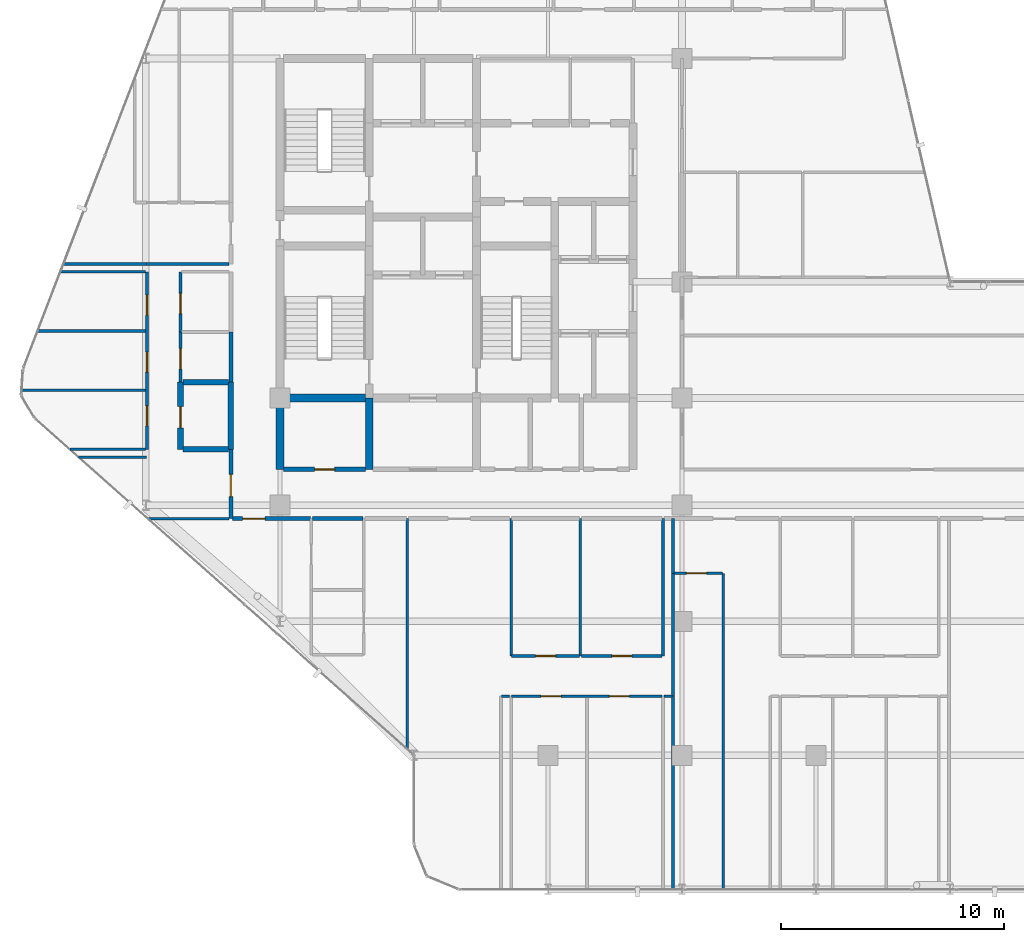
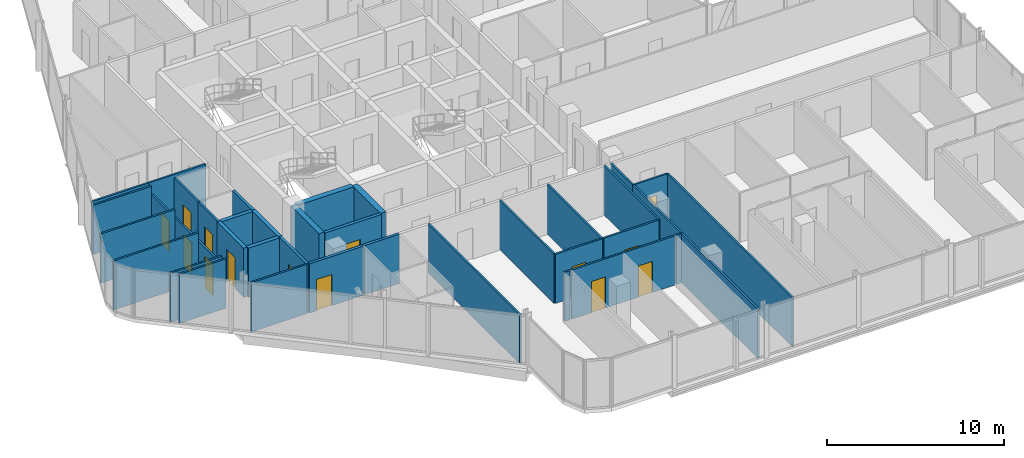
# One storey, part 23 of 29: 37 walls, 14 doors, 14 openings.
"""IFC4 building model written with IfcOpenShell, lengths in metres."""

from ifc_helpers import new_model, si_unit, direction, frame, frame_2d, origin, place, context, subcontext, project, spatial, rectangle, extrude, material, layer, layer_set, type_object, element, fill, save


model = new_model("IFC4")

# Units and contexts
model_context = context("Model", 3, precision=1e-05, world=origin(), true_north=direction((0.0, 1.0)))
body_context = subcontext(model_context, "Body", "Model", "MODEL_VIEW")
ifc_project = project(units=[si_unit("LENGTHUNIT", "METRE"), si_unit("AREAUNIT", "SQUARE_METRE"), si_unit("VOLUMEUNIT", "CUBIC_METRE"), si_unit("PLANEANGLEUNIT", "RADIAN"), si_unit("MASSUNIT", "GRAM", prefix="KILO")], contexts=[model_context])

# Site, building, storey
site_placement = place(None, origin())
site = spatial("IfcSite", under=ifc_project, at=site_placement, CompositionType="ELEMENT")
building_placement = place(site_placement, origin())
building = spatial("IfcBuilding", under=site, at=building_placement, Name="Keshet Zoharim Tower", CompositionType="ELEMENT")
storey_placement = place(building_placement, frame((0.0, 0.0, 172.800048828125)))
storey = spatial("IfcBuildingStorey", under=building, at=storey_placement, Name="L42", CompositionType="ELEMENT", Elevation=172.800048828125)

# Walls
ifc_material_1 = material(Name="Concrete C60/75", Category="concrete")
ifc_layer_1 = layer(ifc_material_1, 0.35009765625)
ifc_layer_set_1 = layer_set([ifc_layer_1], Name="Concrete C60/75")
wall_type_1 = type_object("IfcWallType", Name="WL-CORE-350", PredefinedType="SHEAR", material=ifc_layer_set_1)
for number, where, z_axis, x_axis, name in (
    (1, (15.0, 19.5, 0.0), (0.0, 0.0, 1.0), (0.0, 1.0, 0.0), "L42 Core Shear Wall 015"),
    (2, (19.0, 19.5, 0.0), (0.0, 0.0, 1.0), (0.0, 1.0, 0.0), "L42 Core Shear Wall 026"),
):
    element("IfcWall", number, at=place(storey_placement, frame(where, z_axis=z_axis, x_axis=x_axis)), inside=storey, type_object=wall_type_1, Name=name, PredefinedType="SHEAR", context=body_context, shape_type="SweptSolid", body=[
        extrude(rectangle(XDim=3.199951171875, YDim=0.35009765625, at=frame_2d((1.60009765625, 0.0))), origin(), (0.0, 0.0, 1.0), 3.389892578125),
    ])
wall_1_placement = place(storey_placement, frame((15.159912109375, 22.699951171875, 0.0), z_axis=(0.0, 0.0, 1.0), x_axis=(1.0, 0.0, 0.0)))
element("IfcWall", 3, at=wall_1_placement, inside=storey, type_object=wall_type_1, Name="L42 Core Shear Wall 144", PredefinedType="SHEAR", context=body_context, shape_type="SweptSolid", body=[
    extrude(rectangle(XDim=3.68017578125, YDim=0.35009765625, at=frame_2d((1.840087890625, 0.0))), origin(), (0.0, 0.0, 1.0), 3.389892578125),
])

# Wall, opening, door
ifc_material_2 = material(Name="Gypsum Plasterboard", Category="gypsum")
ifc_layer_2 = layer(ifc_material_2, 0.179931640625)
ifc_layer_set_2 = layer_set([ifc_layer_2], Name="Gypsum Plasterboard")
wall_type_2 = type_object("IfcWallType", Name="WL-CORR-180", PredefinedType="STANDARD", material=ifc_layer_set_2)
wall_2_placement = place(storey_placement, frame((12.800048828125, 17.300048828125, 0.0), z_axis=(0.0, 0.0, 1.0), x_axis=(0.0, 1.0, 0.0)))
wall_2 = element("IfcWall", 4, at=wall_2_placement, inside=storey, type_object=wall_type_2, Name="L42 Interior Wall 007", PredefinedType="STANDARD", context=body_context, shape_type="SweptSolid", body=[
    extrude(rectangle(XDim=3.099853515625, YDim=0.179931640625, at=frame_2d((1.5498046875, 0.0))), origin(), (0.0, 0.0, 1.0), 3.389892578125),
])
opening_1_placement = place(wall_2_placement, frame((0.97802734375, 0.0, 0.0)))
opening_1 = element("IfcOpeningElement", 5, at=opening_1_placement, cuts=wall_2, Name="Opening D-F310", PredefinedType="OPENING", context=body_context, shape_type="SweptSolid", body=[
    extrude(rectangle(XDim=1.0, YDim=2.14990234375, at=frame_2d((0.5, 1.074951171875))), frame((0.0, 0.10009765625, 0.0), z_axis=(0.0, -1.0, 0.0), x_axis=(1.0, 0.0, 0.0)), (0.0, 0.0, 1.0), 0.199951171875),
])
ifc_material_3 = material(Name="Hardwood Timber", Category="wood")
door_type_1 = type_object("IfcDoorType", Name="DR-FD30-100", OperationType="NOTDEFINED", PredefinedType="DOOR", material=ifc_material_3)
door_1_placement = place(opening_1_placement, origin())
door_1 = element("IfcDoor", 6, at=door_1_placement, inside=storey, type_object=door_type_1, Name="Apartment 4209 Entrance Door", OperationType="SINGLE_SWING_LEFT", OverallHeight=2.14990234375, OverallWidth=1.0, PredefinedType="DOOR", context=body_context, shape_type="SweptSolid", body=[
    extrude(rectangle(XDim=1.0, YDim=2.14990234375, at=frame_2d((0.5, 1.074951171875))), frame((0.0, 0.02490234375, 0.0), z_axis=(0.0, -1.0, 0.0), x_axis=(1.0, 0.0, 0.0)), (0.0, 0.0, 1.0), 0.050048828125),
])
fill(opening_1, door_1)

# Wall
wall_3_placement = place(storey_placement, frame((12.800048828125, 23.4208984375, 0.0), z_axis=(0.0, 0.0, 1.0), x_axis=(0.0, 1.0, 0.0)))
element("IfcWall", 7, at=wall_3_placement, inside=storey, type_object=wall_type_2, Name="L42 Interior Wall 009", PredefinedType="STANDARD", context=body_context, shape_type="SweptSolid", body=[
    extrude(rectangle(XDim=2.22607421875, YDim=0.179931640625, at=frame_2d((1.113037109375, 0.0))), origin(), (0.0, 0.0, 1.0), 3.389892578125),
])

# Wall, opening, door
wall_4_placement = place(storey_placement, frame((12.875, 17.300048828125, 0.0), z_axis=(0.0, 0.0, 1.0), x_axis=(1.0, 0.0, 0.0)))
wall_4 = element("IfcWall", 8, at=wall_4_placement, inside=storey, type_object=wall_type_2, Name="L42 Interior Wall 122", PredefinedType="STANDARD", context=body_context, shape_type="SweptSolid", body=[
    extrude(rectangle(XDim=3.5, YDim=0.179931640625, at=frame_2d((1.75, 0.0))), origin(), (0.0, 0.0, 1.0), 3.389892578125),
])
opening_2_placement = place(wall_4_placement, frame((0.458984375, 0.0, 0.0)))
opening_2 = element("IfcOpeningElement", 9, at=opening_2_placement, cuts=wall_4, Name="Opening D-F310", PredefinedType="OPENING", context=body_context, shape_type="SweptSolid", body=[
    extrude(rectangle(XDim=1.0, YDim=2.14990234375, at=frame_2d((0.5, 1.074951171875))), frame((0.0, 0.10009765625, 0.0), z_axis=(0.0, -1.0, 0.0), x_axis=(1.0, 0.0, 0.0)), (0.0, 0.0, 1.0), 0.199951171875),
])
door_2_placement = place(opening_2_placement, origin())
door_2 = element("IfcDoor", 10, at=door_2_placement, inside=storey, type_object=door_type_1, Name="Apartment 4201 Entrance Door", OperationType="SINGLE_SWING_LEFT", OverallHeight=2.14990234375, OverallWidth=1.0, PredefinedType="DOOR", context=body_context, shape_type="SweptSolid", body=[
    extrude(rectangle(XDim=1.0, YDim=2.14990234375, at=frame_2d((0.5, 1.074951171875))), frame((0.0, 0.02490234375, 0.0), z_axis=(0.0, -1.0, 0.0), x_axis=(1.0, 0.0, 0.0)), (0.0, 0.0, 1.0), 0.050048828125),
])
fill(opening_2, door_2)

# Wall
wall_5_placement = place(storey_placement, frame((16.465087890625, 17.300048828125, 0.0), z_axis=(0.0, 0.0, 1.0), x_axis=(1.0, 0.0, 0.0)))
element("IfcWall", 11, at=wall_5_placement, inside=storey, type_object=wall_type_2, Name="L42 Interior Wall 123", PredefinedType="STANDARD", context=body_context, shape_type="SweptSolid", body=[
    extrude(rectangle(XDim=2.260009765625, YDim=0.179931640625, at=frame_2d((1.1298828125, 0.0))), origin(), (0.0, 0.0, 1.0), 3.389892578125),
])

# Wall, opening, door
ifc_material_4 = material(Name="Concrete C50/60", Category="concrete")
ifc_layer_3 = layer(ifc_material_4, 0.199951171875)
ifc_layer_set_3 = layer_set([ifc_layer_3], Name="Concrete C50/60")
wall_type_3 = type_object("IfcWallType", Name="WL-FIRE-200", PredefinedType="STANDARD", material=ifc_layer_set_3)
wall_6_placement = place(storey_placement, frame((15.159912109375, 19.5, 0.0), z_axis=(0.0, 0.0, 1.0), x_axis=(1.0, 0.0, 0.0)))
wall_6 = element("IfcWall", 12, at=wall_6_placement, inside=storey, type_object=wall_type_3, Name="L42 Interior Wall 136", PredefinedType="STANDARD", context=body_context, shape_type="SweptSolid", body=[
    extrude(rectangle(XDim=3.68017578125, YDim=0.199951171875, at=frame_2d((1.840087890625, 0.0))), origin(), (0.0, 0.0, 1.0), 3.389892578125),
])
opening_3_placement = place(wall_6_placement, frame((1.389892578125, 0.0, 0.0)))
opening_3 = element("IfcOpeningElement", 13, at=opening_3_placement, cuts=wall_6, Name="Opening D-F690", PredefinedType="OPENING", context=body_context, shape_type="SweptSolid", body=[
    extrude(rectangle(XDim=0.89990234375, YDim=2.14990234375, at=frame_2d((0.449951171875, 1.074951171875))), frame((0.0, 0.10986328125, 0.0), z_axis=(0.0, -1.0, 0.0), x_axis=(1.0, 0.0, 0.0)), (0.0, 0.0, 1.0), 0.219970703125),
])
door_type_2 = type_object("IfcDoorType", Name="DR-FD60-090", OperationType="NOTDEFINED", PredefinedType="DOOR", material=ifc_material_3)
door_3_placement = place(opening_3_placement, origin())
door_3 = element("IfcDoor", 14, at=door_3_placement, inside=storey, type_object=door_type_2, Name="L42 Pram Store Door", OperationType="SINGLE_SWING_LEFT", OverallHeight=2.14990234375, OverallWidth=0.89990234375, PredefinedType="DOOR", context=body_context, shape_type="SweptSolid", body=[
    extrude(rectangle(XDim=0.89990234375, YDim=2.14990234375, at=frame_2d((0.449951171875, 1.074951171875))), frame((0.0, 0.02490234375, 0.0), z_axis=(0.0, -1.0, 0.0), x_axis=(1.0, 0.0, 0.0)), (0.0, 0.0, 1.0), 0.050048828125),
])
fill(opening_3, door_3)

ifc_layer_4 = layer(ifc_material_4, 0.25)
ifc_layer_set_4 = layer_set([ifc_layer_4], Name="Concrete C50/60")
wall_type_4 = type_object("IfcWallType", Name="WL-MAMAD-250", PredefinedType="STANDARD", material=ifc_layer_set_4)
wall_7_placement = place(storey_placement, frame((10.550048828125, 20.39990234375, 0.0), z_axis=(0.0, 0.0, 1.0), x_axis=(0.0, 1.0, 0.0)))
wall_7 = element("IfcWall", 15, at=wall_7_placement, inside=storey, type_object=wall_type_4, Name="L42 Interior Wall 004", PredefinedType="STANDARD", context=body_context, shape_type="SweptSolid", body=[
    extrude(rectangle(XDim=3.02099609375, YDim=0.25, at=frame_2d((1.510498046875, 0.0))), origin(), (0.0, 0.0, 1.0), 3.389892578125),
])
opening_4_placement = place(wall_7_placement, frame((0.964111328125, 0.0, 0.0)))
opening_4 = element("IfcOpeningElement", 16, at=opening_4_placement, cuts=wall_7, Name="Opening D-F695", PredefinedType="OPENING", context=body_context, shape_type="SweptSolid", body=[
    extrude(rectangle(XDim=0.949951171875, YDim=2.14990234375, at=frame_2d((0.47509765625, 1.074951171875))), frame((0.0, 0.135009765625, 0.0), z_axis=(0.0, -1.0, 0.0), x_axis=(1.0, 0.0, 0.0)), (0.0, 0.0, 1.0), 0.27001953125),
])
door_type_3 = type_object("IfcDoorType", Name="DR-FD60-095", OperationType="NOTDEFINED", PredefinedType="DOOR", material=ifc_material_3)
door_4_placement = place(opening_4_placement, origin())
door_4 = element("IfcDoor", 17, at=door_4_placement, inside=storey, type_object=door_type_3, Name="Apartment 4209 Study and Shelter Room Door", OperationType="SINGLE_SWING_RIGHT", OverallHeight=2.14990234375, OverallWidth=0.949951171875, PredefinedType="DOOR", context=body_context, shape_type="SweptSolid", body=[
    extrude(rectangle(XDim=0.949951171875, YDim=2.14990234375, at=frame_2d((0.47509765625, 1.074951171875))), frame((0.0, 0.02490234375, 0.0), z_axis=(0.0, -1.0, 0.0), x_axis=(1.0, 0.0, 0.0)), (0.0, 0.0, 1.0), 0.050048828125),
])
fill(opening_4, door_4)

# Walls
wall_8_placement = place(storey_placement, frame((12.800048828125, 20.39990234375, 0.0), z_axis=(0.0, 0.0, 1.0), x_axis=(0.0, 1.0, 0.0)))
element("IfcWall", 18, at=wall_8_placement, inside=storey, type_object=wall_type_4, Name="L42 Interior Wall 008", PredefinedType="STANDARD", context=body_context, shape_type="SweptSolid", body=[
    extrude(rectangle(XDim=3.02099609375, YDim=0.25, at=frame_2d((1.510498046875, 0.0))), origin(), (0.0, 0.0, 1.0), 3.389892578125),
])
for number, where, z_axis, x_axis, name in (
    (19, (10.659912109375, 20.39990234375, 0.0), (0.0, 0.0, 1.0), (1.0, 0.0, 0.0), "L42 Interior Wall 143"),
    (20, (10.659912109375, 23.39990234375, 0.0), (0.0, 0.0, 1.0), (1.0, 0.0, 0.0), "L42 Interior Wall 150"),
):
    element("IfcWall", number, at=place(storey_placement, frame(where, z_axis=z_axis, x_axis=x_axis)), inside=storey, type_object=wall_type_4, Name=name, PredefinedType="STANDARD", context=body_context, shape_type="SweptSolid", body=[
        extrude(rectangle(XDim=2.030029296875, YDim=0.25, at=frame_2d((1.01513671875, 0.0))), origin(), (0.0, 0.0, 1.0), 3.389892578125),
    ])

# Wall, openings, doors
ifc_layer_5 = layer(ifc_material_2, 0.1201171875)
ifc_layer_set_5 = layer_set([ifc_layer_5], Name="Gypsum Plasterboard")
wall_type_5 = type_object("IfcWallType", Name="WL-PART-120", PredefinedType="PARTITIONING", material=ifc_layer_set_5)
wall_9_placement = place(storey_placement, frame((9.050048828125, 20.39990234375, 0.0), z_axis=(0.0, 0.0, 1.0), x_axis=(0.0, 1.0, 0.0)))
wall_9 = element("IfcWall", 21, at=wall_9_placement, inside=storey, type_object=wall_type_5, Name="L42 Interior Wall 002", PredefinedType="PARTITIONING", context=body_context, shape_type="SweptSolid", body=[
    extrude(rectangle(XDim=7.9501953125, YDim=0.1201171875, at=frame_2d((3.97509765625, 0.0))), origin(), (0.0, 0.0, 1.0), 2.7900390625),
])
opening_5_placement = place(wall_9_placement, frame((1.050048828125, 0.0, 0.0)))
opening_5 = element("IfcOpeningElement", 22, at=opening_5_placement, cuts=wall_9, Name="Opening D-IN90", PredefinedType="OPENING", context=body_context, shape_type="SweptSolid", body=[
    extrude(rectangle(XDim=0.89990234375, YDim=2.14990234375, at=frame_2d((0.449951171875, 1.074951171875))), frame((0.0, 0.070068359375, 0.0), z_axis=(0.0, -1.0, 0.0), x_axis=(1.0, 0.0, 0.0)), (0.0, 0.0, 1.0), 0.14013671875),
])
opening_6_placement = place(wall_9_placement, frame((3.455078125, 0.0, 0.0)))
opening_6 = element("IfcOpeningElement", 23, at=opening_6_placement, cuts=wall_9, Name="Opening D-IN90", PredefinedType="OPENING", context=body_context, shape_type="SweptSolid", body=[
    extrude(rectangle(XDim=0.89990234375, YDim=2.14990234375, at=frame_2d((0.449951171875, 1.074951171875))), frame((0.0, 0.070068359375, 0.0), z_axis=(0.0, -1.0, 0.0), x_axis=(1.0, 0.0, 0.0)), (0.0, 0.0, 1.0), 0.14013671875),
])
opening_7_placement = place(wall_9_placement, frame((6.0, 0.0, 0.0)))
opening_7 = element("IfcOpeningElement", 24, at=opening_7_placement, cuts=wall_9, Name="Opening D-IN90", PredefinedType="OPENING", context=body_context, shape_type="SweptSolid", body=[
    extrude(rectangle(XDim=0.89990234375, YDim=2.14990234375, at=frame_2d((0.449951171875, 1.074951171875))), frame((0.0, 0.070068359375, 0.0), z_axis=(0.0, -1.0, 0.0), x_axis=(1.0, 0.0, 0.0)), (0.0, 0.0, 1.0), 0.14013671875),
])
door_type_4 = type_object("IfcDoorType", Name="DR-INT-090", OperationType="NOTDEFINED", PredefinedType="DOOR", material=ifc_material_3)
door_5_placement = place(opening_5_placement, origin())
door_5 = element("IfcDoor", 25, at=door_5_placement, inside=storey, type_object=door_type_4, Name="Apartment 4209 Bedroom 1 Door", OperationType="SINGLE_SWING_LEFT", OverallHeight=2.14990234375, OverallWidth=0.89990234375, PredefinedType="DOOR", context=body_context, shape_type="SweptSolid", body=[
    extrude(rectangle(XDim=0.89990234375, YDim=2.14990234375, at=frame_2d((0.449951171875, 1.074951171875))), frame((0.0, 0.02490234375, 0.0), z_axis=(0.0, -1.0, 0.0), x_axis=(1.0, 0.0, 0.0)), (0.0, 0.0, 1.0), 0.050048828125),
])
fill(opening_5, door_5)
door_6_placement = place(opening_6_placement, origin())
door_6 = element("IfcDoor", 26, at=door_6_placement, inside=storey, type_object=door_type_4, Name="Apartment 4209 Bedroom 2 Door", OperationType="SINGLE_SWING_RIGHT", OverallHeight=2.14990234375, OverallWidth=0.89990234375, PredefinedType="DOOR", context=body_context, shape_type="SweptSolid", body=[
    extrude(rectangle(XDim=0.89990234375, YDim=2.14990234375, at=frame_2d((0.449951171875, 1.074951171875))), frame((0.0, 0.02490234375, 0.0), z_axis=(0.0, -1.0, 0.0), x_axis=(1.0, 0.0, 0.0)), (0.0, 0.0, 1.0), 0.050048828125),
])
fill(opening_6, door_6)
door_7_placement = place(opening_7_placement, origin())
door_7 = element("IfcDoor", 27, at=door_7_placement, inside=storey, type_object=door_type_4, Name="Apartment 4209 Bedroom 3 Door", OperationType="SINGLE_SWING_LEFT", OverallHeight=2.14990234375, OverallWidth=0.89990234375, PredefinedType="DOOR", context=body_context, shape_type="SweptSolid", body=[
    extrude(rectangle(XDim=0.89990234375, YDim=2.14990234375, at=frame_2d((0.449951171875, 1.074951171875))), frame((0.0, 0.02490234375, 0.0), z_axis=(0.0, -1.0, 0.0), x_axis=(1.0, 0.0, 0.0)), (0.0, 0.0, 1.0), 0.050048828125),
])
fill(opening_7, door_7)

# Wall, opening, door
wall_10_placement = place(storey_placement, frame((10.550048828125, 25.64697265625, 0.0), z_axis=(0.0, 0.0, 1.0), x_axis=(0.0, 1.0, 0.0)))
wall_10 = element("IfcWall", 28, at=wall_10_placement, inside=storey, type_object=wall_type_5, Name="L42 Interior Wall 006", PredefinedType="PARTITIONING", context=body_context, shape_type="SweptSolid", body=[
    extrude(rectangle(XDim=2.703125, YDim=0.1201171875, at=frame_2d((1.3515625, 0.0))), origin(), (0.0, 0.0, 1.0), 3.389892578125),
])
opening_8_placement = place(wall_10_placement, frame((0.830078125, 0.0, 0.0)))
opening_8 = element("IfcOpeningElement", 29, at=opening_8_placement, cuts=wall_10, Name="Opening D-IN90", PredefinedType="OPENING", context=body_context, shape_type="SweptSolid", body=[
    extrude(rectangle(XDim=0.89990234375, YDim=2.14990234375, at=frame_2d((0.449951171875, 1.074951171875))), frame((0.0, 0.070068359375, 0.0), z_axis=(0.0, -1.0, 0.0), x_axis=(1.0, 0.0, 0.0)), (0.0, 0.0, 1.0), 0.14013671875),
])
door_8_placement = place(opening_8_placement, origin())
door_8 = element("IfcDoor", 30, at=door_8_placement, inside=storey, type_object=door_type_4, Name="Apartment 4209 Kitchen Door", OperationType="SINGLE_SWING_RIGHT", OverallHeight=2.14990234375, OverallWidth=0.89990234375, PredefinedType="DOOR", context=body_context, shape_type="SweptSolid", body=[
    extrude(rectangle(XDim=0.89990234375, YDim=2.14990234375, at=frame_2d((0.449951171875, 1.074951171875))), frame((0.0, 0.02490234375, 0.0), z_axis=(0.0, -1.0, 0.0), x_axis=(1.0, 0.0, 0.0)), (0.0, 0.0, 1.0), 0.050048828125),
])
fill(opening_8, door_8)

# Walls
wall_11_placement = place(storey_placement, frame((20.699951171875, 6.97705078125, 0.0), z_axis=(0.0, 0.0, 1.0), x_axis=(0.0, 1.0, 0.0)))
element("IfcWall", 31, at=wall_11_placement, inside=storey, type_object=wall_type_5, Name="L42 Interior Wall 031", PredefinedType="PARTITIONING", context=body_context, shape_type="SweptSolid", body=[
    extrude(rectangle(XDim=10.322998046875, YDim=0.1201171875, at=frame_2d((5.16162109375, 0.0))), origin(), (0.0, 0.0, 1.0), 3.389892578125),
])
wall_12_placement = place(storey_placement, frame((25.35009765625, 11.14990234375, 0.0), z_axis=(0.0, 0.0, 1.0), x_axis=(0.0, 1.0, 0.0)))
element("IfcWall", 32, at=wall_12_placement, inside=storey, type_object=wall_type_5, Name="L42 Interior Wall 046", PredefinedType="PARTITIONING", context=body_context, shape_type="SweptSolid", body=[
    extrude(rectangle(XDim=6.150146484375, YDim=0.1201171875, at=frame_2d((3.0751953125, 0.0))), origin(), (0.0, 0.0, 1.0), 3.389892578125),
])
wall_13_placement = place(storey_placement, frame((32.60009765625, 0.7099609375, 0.0), z_axis=(0.0, 0.0, 1.0), x_axis=(0.0, 1.0, 0.0)))
element("IfcWall", 33, at=wall_13_placement, inside=storey, type_object=wall_type_5, Name="L42 Interior Wall 072", PredefinedType="PARTITIONING", context=body_context, shape_type="SweptSolid", body=[
    extrude(rectangle(XDim=8.64013671875, YDim=0.1201171875, at=frame_2d((4.320068359375, 0.0))), origin(), (0.0, 0.0, 1.0), 3.389892578125),
])
wall_14_placement = place(storey_placement, frame((32.60009765625, 9.35009765625, 0.0), z_axis=(0.0, 0.0, 1.0), x_axis=(0.0, 1.0, 0.0)))
element("IfcWall", 34, at=wall_14_placement, inside=storey, type_object=wall_type_5, Name="L42 Interior Wall 073", PredefinedType="PARTITIONING", context=body_context, shape_type="SweptSolid", body=[
    extrude(rectangle(XDim=5.5, YDim=0.1201171875, at=frame_2d((2.75, 0.0))), origin(), (0.0, 0.0, 1.0), 3.389892578125),
])
wall_15_placement = place(storey_placement, frame((32.60009765625, 14.85009765625, 0.0), z_axis=(0.0, 0.0, 1.0), x_axis=(0.0, 1.0, 0.0)))
element("IfcWall", 35, at=wall_15_placement, inside=storey, type_object=wall_type_5, Name="L42 Interior Wall 074", PredefinedType="PARTITIONING", context=body_context, shape_type="SweptSolid", body=[
    extrude(rectangle(XDim=2.449951171875, YDim=0.1201171875, at=frame_2d((1.22509765625, 0.0))), origin(), (0.0, 0.0, 1.0), 3.389892578125),
])
wall_16_placement = place(storey_placement, frame((34.85009765625, 0.7099609375, 0.0), z_axis=(0.0, 0.0, 1.0), x_axis=(0.0, 1.0, 0.0)))
element("IfcWall", 36, at=wall_16_placement, inside=storey, type_object=wall_type_5, Name="L42 Interior Wall 079", PredefinedType="PARTITIONING", context=body_context, shape_type="SweptSolid", body=[
    extrude(rectangle(XDim=14.14013671875, YDim=0.1201171875, at=frame_2d((7.070068359375, 0.0))), origin(), (0.0, 0.0, 1.0), 3.389892578125),
])
wall_17_placement = place(storey_placement, frame((24.925048828125, 9.35009765625, 0.0), z_axis=(0.0, 0.0, 1.0), x_axis=(1.0, 0.0, 0.0)))
element("IfcWall", 37, at=wall_17_placement, inside=storey, type_object=wall_type_5, Name="L42 Interior Wall 104", PredefinedType="PARTITIONING", context=body_context, shape_type="SweptSolid", body=[
    extrude(rectangle(XDim=0.35986328125, YDim=0.1201171875, at=frame_2d((0.179931640625, 0.0))), origin(), (0.0, 0.0, 1.0), 3.389892578125),
])

# Wall, openings, doors
wall_18_placement = place(storey_placement, frame((25.375, 9.35009765625, 0.0), z_axis=(0.0, 0.0, 1.0), x_axis=(1.0, 0.0, 0.0)))
wall_18 = element("IfcWall", 38, at=wall_18_placement, inside=storey, type_object=wall_type_5, Name="L42 Interior Wall 105", PredefinedType="PARTITIONING", context=body_context, shape_type="SweptSolid", body=[
    extrude(rectangle(XDim=6.72998046875, YDim=0.1201171875, at=frame_2d((3.364990234375, 0.0))), origin(), (0.0, 0.0, 1.0), 3.389892578125),
])
opening_9_placement = place(wall_18_placement, frame((1.31005859375, 0.0, 0.0)))
opening_9 = element("IfcOpeningElement", 39, at=opening_9_placement, cuts=wall_18, Name="Opening D-IN90", PredefinedType="OPENING", context=body_context, shape_type="SweptSolid", body=[
    extrude(rectangle(XDim=0.89990234375, YDim=2.14990234375, at=frame_2d((0.449951171875, 1.074951171875))), frame((0.0, 0.070068359375, 0.0), z_axis=(0.0, -1.0, 0.0), x_axis=(1.0, 0.0, 0.0)), (0.0, 0.0, 1.0), 0.14013671875),
])
opening_10_placement = place(wall_18_placement, frame((4.3701171875, 0.0, 0.0)))
opening_10 = element("IfcOpeningElement", 40, at=opening_10_placement, cuts=wall_18, Name="Opening D-IN90", PredefinedType="OPENING", context=body_context, shape_type="SweptSolid", body=[
    extrude(rectangle(XDim=0.89990234375, YDim=2.14990234375, at=frame_2d((0.449951171875, 1.074951171875))), frame((0.0, 0.070068359375, 0.0), z_axis=(0.0, -1.0, 0.0), x_axis=(1.0, 0.0, 0.0)), (0.0, 0.0, 1.0), 0.14013671875),
])
door_9_placement = place(opening_9_placement, origin())
door_9 = element("IfcDoor", 41, at=door_9_placement, inside=storey, type_object=door_type_4, Name="Apartment 4202 Bedroom 1 Door", OperationType="SINGLE_SWING_LEFT", OverallHeight=2.14990234375, OverallWidth=0.89990234375, PredefinedType="DOOR", context=body_context, shape_type="SweptSolid", body=[
    extrude(rectangle(XDim=0.89990234375, YDim=2.14990234375, at=frame_2d((0.449951171875, 1.074951171875))), frame((0.0, 0.02490234375, 0.0), z_axis=(0.0, -1.0, 0.0), x_axis=(1.0, 0.0, 0.0)), (0.0, 0.0, 1.0), 0.050048828125),
])
fill(opening_9, door_9)
door_10_placement = place(opening_10_placement, origin())
door_10 = element("IfcDoor", 42, at=door_10_placement, inside=storey, type_object=door_type_4, Name="Apartment 4202 Bedroom 2 Door", OperationType="SINGLE_SWING_RIGHT", OverallHeight=2.14990234375, OverallWidth=0.89990234375, PredefinedType="DOOR", context=body_context, shape_type="SweptSolid", body=[
    extrude(rectangle(XDim=0.89990234375, YDim=2.14990234375, at=frame_2d((0.449951171875, 1.074951171875))), frame((0.0, 0.02490234375, 0.0), z_axis=(0.0, -1.0, 0.0), x_axis=(1.0, 0.0, 0.0)), (0.0, 0.0, 1.0), 0.050048828125),
])
fill(opening_10, door_10)

# Wall
wall_19_placement = place(storey_placement, frame((32.195068359375, 9.35009765625, 0.0), z_axis=(0.0, 0.0, 1.0), x_axis=(1.0, 0.0, 0.0)))
element("IfcWall", 43, at=wall_19_placement, inside=storey, type_object=wall_type_5, Name="L42 Interior Wall 106", PredefinedType="PARTITIONING", context=body_context, shape_type="SweptSolid", body=[
    extrude(rectangle(XDim=0.35986328125, YDim=0.1201171875, at=frame_2d((0.179931640625, 0.0))), origin(), (0.0, 0.0, 1.0), 3.389892578125),
])

# Wall, opening, door
wall_20_placement = place(storey_placement, frame((25.375, 11.14990234375, 0.0), z_axis=(0.0, 0.0, 1.0), x_axis=(1.0, 0.0, 0.0)))
wall_20 = element("IfcWall", 44, at=wall_20_placement, inside=storey, type_object=wall_type_5, Name="L42 Interior Wall 112", PredefinedType="PARTITIONING", context=body_context, shape_type="SweptSolid", body=[
    extrude(rectangle(XDim=3.047119140625, YDim=0.1201171875, at=frame_2d((1.5234375, 0.0))), origin(), (0.0, 0.0, 1.0), 3.389892578125),
])
opening_11_placement = place(wall_20_placement, frame((1.072998046875, 0.0, 0.0)))
opening_11 = element("IfcOpeningElement", 45, at=opening_11_placement, cuts=wall_20, Name="Opening D-IN90", PredefinedType="OPENING", context=body_context, shape_type="SweptSolid", body=[
    extrude(rectangle(XDim=0.89990234375, YDim=2.14990234375, at=frame_2d((0.449951171875, 1.074951171875))), frame((0.0, 0.070068359375, 0.0), z_axis=(0.0, -1.0, 0.0), x_axis=(1.0, 0.0, 0.0)), (0.0, 0.0, 1.0), 0.14013671875),
])
door_11_placement = place(opening_11_placement, origin())
door_11 = element("IfcDoor", 46, at=door_11_placement, inside=storey, type_object=door_type_4, Name="Apartment 4202 Kitchen Door", OperationType="SINGLE_SWING_RIGHT", OverallHeight=2.14990234375, OverallWidth=0.89990234375, PredefinedType="DOOR", context=body_context, shape_type="SweptSolid", body=[
    extrude(rectangle(XDim=0.89990234375, YDim=2.14990234375, at=frame_2d((0.449951171875, 1.074951171875))), frame((0.0, 0.02490234375, 0.0), z_axis=(0.0, -1.0, 0.0), x_axis=(1.0, 0.0, 0.0)), (0.0, 0.0, 1.0), 0.050048828125),
])
fill(opening_11, door_11)

wall_21_placement = place(storey_placement, frame((32.64501953125, 14.85009765625, 0.0), z_axis=(0.0, 0.0, 1.0), x_axis=(1.0, 0.0, 0.0)))
wall_21 = element("IfcWall", 47, at=wall_21_placement, inside=storey, type_object=wall_type_5, Name="L42 Interior Wall 120", PredefinedType="PARTITIONING", context=body_context, shape_type="SweptSolid", body=[
    extrude(rectangle(XDim=2.159912109375, YDim=0.1201171875, at=frame_2d((1.080078125, 0.0))), origin(), (0.0, 0.0, 1.0), 3.389892578125),
])
opening_12_placement = place(wall_21_placement, frame((0.552978515625, 0.0, 0.0)))
opening_12 = element("IfcOpeningElement", 48, at=opening_12_placement, cuts=wall_21, Name="Opening D-IN90", PredefinedType="OPENING", context=body_context, shape_type="SweptSolid", body=[
    extrude(rectangle(XDim=0.89990234375, YDim=2.14990234375, at=frame_2d((0.449951171875, 1.074951171875))), frame((0.0, 0.070068359375, 0.0), z_axis=(0.0, -1.0, 0.0), x_axis=(1.0, 0.0, 0.0)), (0.0, 0.0, 1.0), 0.14013671875),
])
door_12_placement = place(opening_12_placement, origin())
door_12 = element("IfcDoor", 49, at=door_12_placement, inside=storey, type_object=door_type_4, Name="Apartment 4203 Formal Dining Room Door", OperationType="SINGLE_SWING_RIGHT", OverallHeight=2.14990234375, OverallWidth=0.89990234375, PredefinedType="DOOR", context=body_context, shape_type="SweptSolid", body=[
    extrude(rectangle(XDim=0.89990234375, YDim=2.14990234375, at=frame_2d((0.449951171875, 1.074951171875))), frame((0.0, 0.02490234375, 0.0), z_axis=(0.0, -1.0, 0.0), x_axis=(1.0, 0.0, 0.0)), (0.0, 0.0, 1.0), 0.050048828125),
])
fill(opening_12, door_12)

# Walls
wall_22_placement = place(storey_placement, frame((9.0849609375, 17.300048828125, 0.0), z_axis=(0.0, 0.0, 1.0), x_axis=(1.0, 0.0, 0.0)))
element("IfcWall", 50, at=wall_22_placement, inside=storey, type_object=wall_type_5, Name="L42 Interior Wall 121", PredefinedType="PARTITIONING", context=body_context, shape_type="SweptSolid", body=[
    extrude(rectangle(XDim=3.64013671875, YDim=0.1201171875, at=frame_2d((1.820068359375, 0.0))), origin(), (0.0, 0.0, 1.0), 3.389892578125),
])
wall_23_placement = place(storey_placement, frame((5.990966796875, 20.050048828125, 0.0), z_axis=(0.0, 0.0, 1.0), x_axis=(1.0, 0.0, 0.0)))
element("IfcWall", 51, at=wall_23_placement, inside=storey, type_object=wall_type_5, Name="L42 Interior Wall 141", PredefinedType="PARTITIONING", context=body_context, shape_type="SweptSolid", body=[
    extrude(rectangle(XDim=3.0390625, YDim=0.1201171875, at=frame_2d((1.51953125, 0.0))), origin(), (0.0, 0.0, 1.0), 3.389892578125),
])
wall_24_placement = place(storey_placement, frame((5.596923828125, 20.39990234375, 0.0), z_axis=(0.0, 0.0, 1.0), x_axis=(1.0, 0.0, 0.0)))
element("IfcWall", 52, at=wall_24_placement, inside=storey, type_object=wall_type_5, Name="L42 Interior Wall 142", PredefinedType="PARTITIONING", context=body_context, shape_type="SweptSolid", body=[
    extrude(rectangle(XDim=3.38818359375, YDim=0.1201171875, at=frame_2d((1.694091796875, 0.0))), origin(), (0.0, 0.0, 1.0), 3.389892578125),
])
wall_25_placement = place(storey_placement, frame((3.446044921875, 23.050048828125, 0.0), z_axis=(0.0, 0.0, 1.0), x_axis=(1.0, 0.0, 0.0)))
element("IfcWall", 53, at=wall_25_placement, inside=storey, type_object=wall_type_5, Name="L42 Interior Wall 149", PredefinedType="PARTITIONING", context=body_context, shape_type="SweptSolid", body=[
    extrude(rectangle(XDim=5.5390625, YDim=0.1201171875, at=frame_2d((2.76953125, 0.0))), origin(), (0.0, 0.0, 1.0), 3.389892578125),
])
wall_26_placement = place(storey_placement, frame((4.1640625, 25.699951171875, 0.0), z_axis=(0.0, 0.0, 1.0), x_axis=(1.0, 0.0, 0.0)))
element("IfcWall", 54, at=wall_26_placement, inside=storey, type_object=wall_type_5, Name="L42 Interior Wall 154", PredefinedType="PARTITIONING", context=body_context, shape_type="SweptSolid", body=[
    extrude(rectangle(XDim=4.821044921875, YDim=0.1201171875, at=frame_2d((2.41064453125, 0.0))), origin(), (0.0, 0.0, 1.0), 3.389892578125),
])
wall_27_placement = place(storey_placement, frame((5.18310546875, 28.35009765625, 0.0), z_axis=(0.0, 0.0, 1.0), x_axis=(1.0, 0.0, 0.0)))
element("IfcWall", 55, at=wall_27_placement, inside=storey, type_object=wall_type_5, Name="L42 Interior Wall 159", PredefinedType="PARTITIONING", context=body_context, shape_type="SweptSolid", body=[
    extrude(rectangle(XDim=3.802001953125, YDim=0.1201171875, at=frame_2d((1.90087890625, 0.0))), origin(), (0.0, 0.0, 1.0), 3.389892578125),
])
wall_28_placement = place(storey_placement, frame((5.31689453125, 28.699951171875, 0.0), z_axis=(0.0, 0.0, 1.0), x_axis=(1.0, 0.0, 0.0)))
element("IfcWall", 56, at=wall_28_placement, inside=storey, type_object=wall_type_5, Name="L42 Interior Wall 161", PredefinedType="PARTITIONING", context=body_context, shape_type="SweptSolid", body=[
    extrude(rectangle(XDim=3.713134765625, YDim=0.1201171875, at=frame_2d((1.8564453125, 0.0))), origin(), (0.0, 0.0, 1.0), 3.389892578125),
])
wall_29_placement = place(storey_placement, frame((9.030029296875, 28.699951171875, 0.0), z_axis=(0.0, 0.0, 1.0), x_axis=(1.0, 0.0, 0.0)))
element("IfcWall", 57, at=wall_29_placement, inside=storey, type_object=wall_type_5, Name="L42 Interior Wall 162", PredefinedType="PARTITIONING", context=body_context, shape_type="SweptSolid", body=[
    extrude(rectangle(XDim=3.695068359375, YDim=0.1201171875, at=frame_2d((1.84765625, 0.0))), origin(), (0.0, 0.0, 1.0), 3.389892578125),
])

# Wall, opening, door
ifc_layer_6 = layer(ifc_material_2, 0.1201171875)
ifc_layer_set_6 = layer_set([ifc_layer_6], Name="Gypsum Plasterboard")
wall_type_6 = type_object("IfcWallType", Name="WL-WET-120", PredefinedType="PARTITIONING", material=ifc_layer_set_6)
wall_30_placement = place(storey_placement, frame((10.550048828125, 23.4208984375, 0.0), z_axis=(0.0, 0.0, 1.0), x_axis=(0.0, 1.0, 0.0)))
wall_30 = element("IfcWall", 58, at=wall_30_placement, inside=storey, type_object=wall_type_6, Name="L42 Interior Wall 005", PredefinedType="PARTITIONING", context=body_context, shape_type="SweptSolid", body=[
    extrude(rectangle(XDim=2.22607421875, YDim=0.1201171875, at=frame_2d((1.113037109375, 0.0))), origin(), (0.0, 0.0, 1.0), 3.389892578125),
])
opening_13_placement = place(wall_30_placement, frame((0.583984375, 0.0, 0.0)))
opening_13 = element("IfcOpeningElement", 59, at=opening_13_placement, cuts=wall_30, Name="Opening D-WT90", PredefinedType="OPENING", context=body_context, shape_type="SweptSolid", body=[
    extrude(rectangle(XDim=0.89990234375, YDim=2.10009765625, at=frame_2d((0.449951171875, 1.050048828125))), frame((0.0, 0.070068359375, 0.0), z_axis=(0.0, -1.0, 0.0), x_axis=(1.0, 0.0, 0.0)), (0.0, 0.0, 1.0), 0.14013671875),
])
door_type_5 = type_object("IfcDoorType", Name="DR-WET-090", OperationType="NOTDEFINED", PredefinedType="DOOR", material=ifc_material_3)
door_13_placement = place(opening_13_placement, origin())
door_13 = element("IfcDoor", 60, at=door_13_placement, inside=storey, type_object=door_type_5, Name="Apartment 4209 Bathroom Door", OperationType="SINGLE_SWING_LEFT", OverallHeight=2.10009765625, OverallWidth=0.89990234375, PredefinedType="DOOR", context=body_context, shape_type="SweptSolid", body=[
    extrude(rectangle(XDim=0.89990234375, YDim=2.10009765625, at=frame_2d((0.449951171875, 1.050048828125))), frame((0.0, 0.02490234375, 0.0), z_axis=(0.0, -1.0, 0.0), x_axis=(1.0, 0.0, 0.0)), (0.0, 0.0, 1.0), 0.050048828125),
])
fill(opening_13, door_13)

# Walls
for number, where, z_axis, x_axis, name in (
    (61, (28.449951171875, 11.14990234375, 0.0), (0.0, 0.0, 1.0), (0.0, 1.0, 0.0), "L42 Interior Wall 056"),
    (62, (32.14990234375, 11.14990234375, 0.0), (0.0, 0.0, 1.0), (0.0, 1.0, 0.0), "L42 Interior Wall 071"),
):
    element("IfcWall", number, at=place(storey_placement, frame(where, z_axis=z_axis, x_axis=x_axis)), inside=storey, type_object=wall_type_6, Name=name, PredefinedType="PARTITIONING", context=body_context, shape_type="SweptSolid", body=[
        extrude(rectangle(XDim=6.150146484375, YDim=0.1201171875, at=frame_2d((3.0751953125, 0.0))), origin(), (0.0, 0.0, 1.0), 3.389892578125),
    ])

# Wall, opening, door
wall_31_placement = place(storey_placement, frame((28.511962890625, 11.14990234375, 0.0), z_axis=(0.0, 0.0, 1.0), x_axis=(1.0, 0.0, 0.0)))
wall_31 = element("IfcWall", 63, at=wall_31_placement, inside=storey, type_object=wall_type_6, Name="L42 Interior Wall 113", PredefinedType="PARTITIONING", context=body_context, shape_type="SweptSolid", body=[
    extrude(rectangle(XDim=3.593017578125, YDim=0.1201171875, at=frame_2d((1.79638671875, 0.0))), origin(), (0.0, 0.0, 1.0), 3.389892578125),
])
opening_14_placement = place(wall_31_placement, frame((1.345947265625, 0.0, 0.0)))
opening_14 = element("IfcOpeningElement", 64, at=opening_14_placement, cuts=wall_31, Name="Opening D-WT90", PredefinedType="OPENING", context=body_context, shape_type="SweptSolid", body=[
    extrude(rectangle(XDim=0.89990234375, YDim=2.10009765625, at=frame_2d((0.449951171875, 1.050048828125))), frame((0.0, 0.070068359375, 0.0), z_axis=(0.0, -1.0, 0.0), x_axis=(1.0, 0.0, 0.0)), (0.0, 0.0, 1.0), 0.14013671875),
])
door_14_placement = place(opening_14_placement, origin())
door_14 = element("IfcDoor", 65, at=door_14_placement, inside=storey, type_object=door_type_5, Name="Apartment 4202 Bathroom Door", OperationType="SINGLE_SWING_LEFT", OverallHeight=2.10009765625, OverallWidth=0.89990234375, PredefinedType="DOOR", context=body_context, shape_type="SweptSolid", body=[
    extrude(rectangle(XDim=0.89990234375, YDim=2.10009765625, at=frame_2d((0.449951171875, 1.050048828125))), frame((0.0, 0.02490234375, 0.0), z_axis=(0.0, -1.0, 0.0), x_axis=(1.0, 0.0, 0.0)), (0.0, 0.0, 1.0), 0.050048828125),
])
fill(opening_14, door_14)

save(model, "model.ifc")
